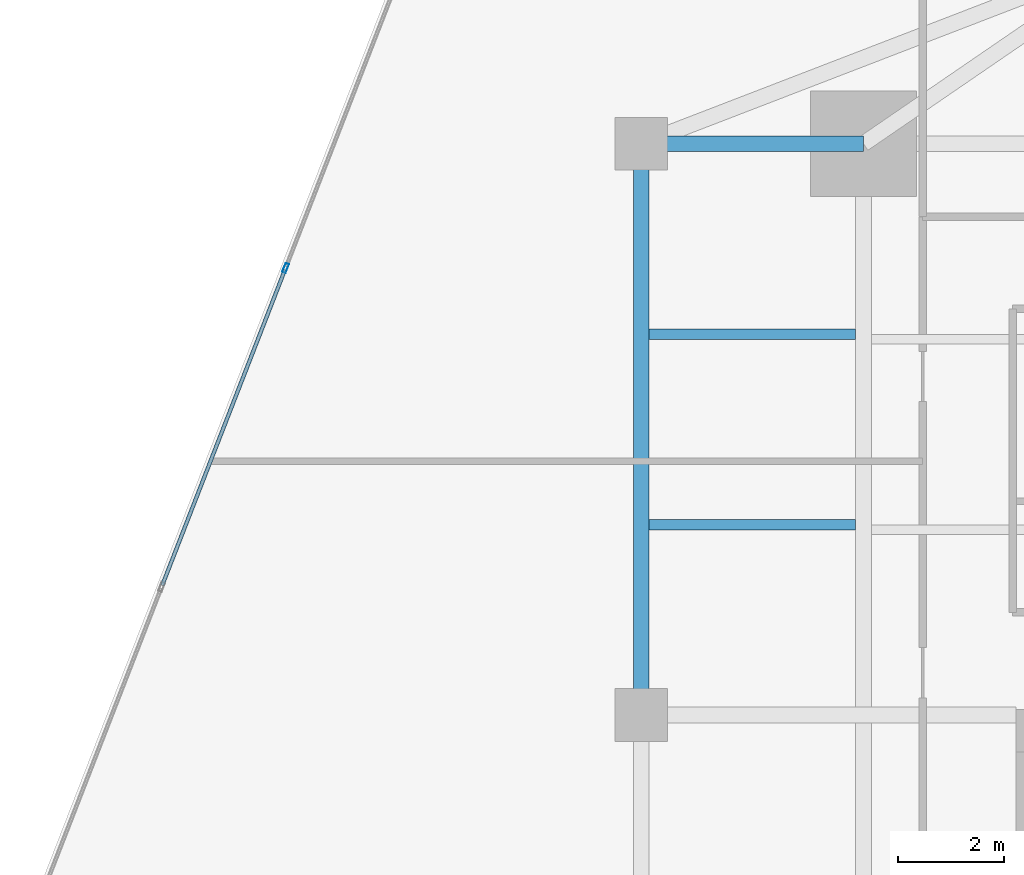
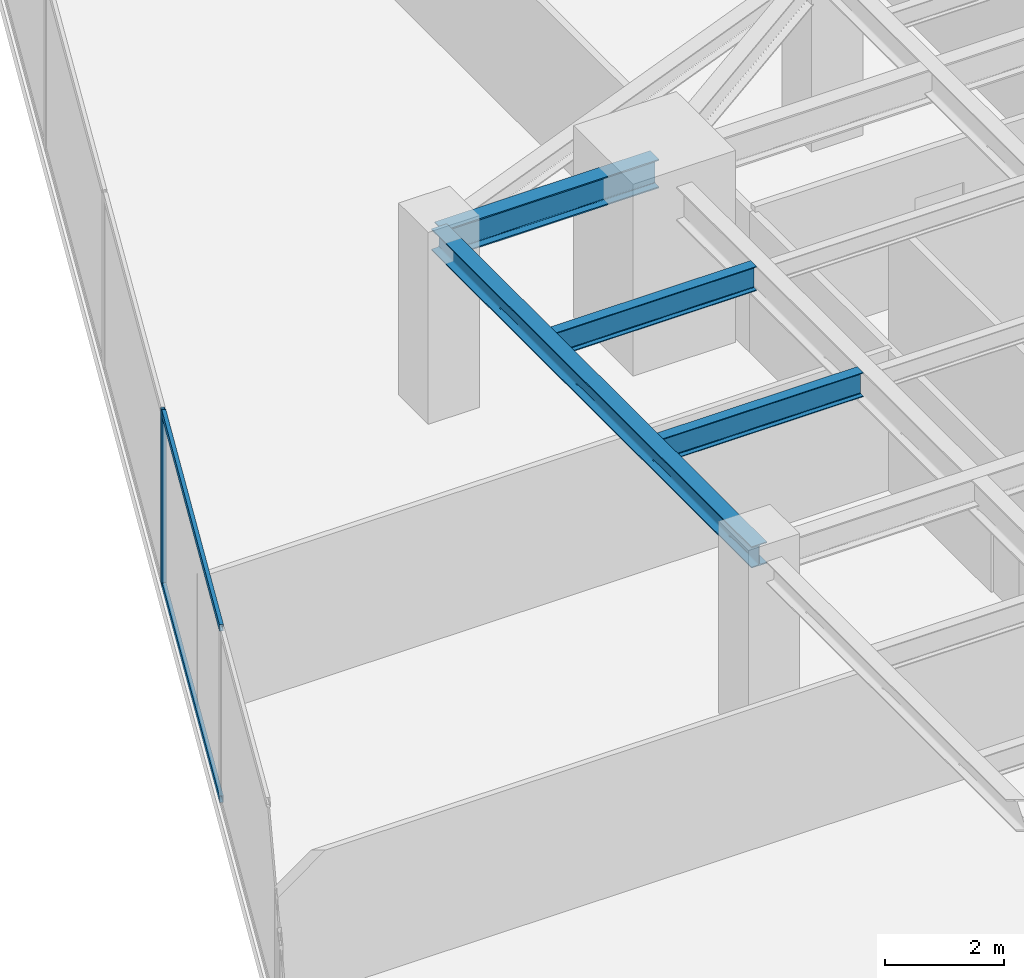
# One storey, part 13 of 26: 4 beams, 3 members, 1 element without a shape of its own.
"""IFC4 building model written with IfcOpenShell, lengths in metres."""

from ifc_helpers import new_model, si_unit, direction, frame, origin, origin_2d, place, context, subcontext, project, spatial, hollow_rectangle, i_section, extrude, source, transform, mapped, material, material_profile, profile_set, type_object, type_shapes, element, aggregate, save


model = new_model("IFC4")

# Units and contexts
model_context = context("Model", 3, precision=1e-05, world=origin(), true_north=direction((0.0, 1.0)))
body_context = subcontext(model_context, "Body", "Model", "MODEL_VIEW")
ifc_project = project(units=[si_unit("LENGTHUNIT", "METRE"), si_unit("AREAUNIT", "SQUARE_METRE"), si_unit("VOLUMEUNIT", "CUBIC_METRE"), si_unit("PLANEANGLEUNIT", "RADIAN"), si_unit("MASSUNIT", "GRAM", prefix="KILO")], contexts=[model_context])

# Site, building, storey
site_placement = place(None, origin())
site = spatial("IfcSite", under=ifc_project, at=site_placement, CompositionType="ELEMENT")
building_placement = place(site_placement, origin())
building = spatial("IfcBuilding", under=site, at=building_placement, Name="Krantzveldt Concourse Tower", CompositionType="ELEMENT")
storey_placement = place(building_placement, frame((0.0, 0.0, 137.449951171875)))
storey = spatial("IfcBuildingStorey", under=building, at=storey_placement, Name="L33", CompositionType="ELEMENT", Elevation=137.449951171875)

# Beams
ifc_material_1 = material(Name="Steel S355JR", Category="steel")
ifc_material_profile_1 = material_profile(ifc_material_1, i_section(OverallWidth=0.300048828125, OverallDepth=0.43994140625, WebThickness=0.011474609375, FlangeThickness=0.02099609375, FilletRadius=0.027099609375, at=origin_2d()), Name="Steel S355JR", Category="steel")
ifc_profile_set_1 = profile_set([ifc_material_profile_1], Name="Steel S355JR - HEA 450")
beam_type_1 = type_object("IfcBeamType", Name="BM-SP-HEA450", PredefinedType="SPANDREL", material=ifc_profile_set_1)
shared_shape_1 = source(origin(), body_context, "Body", "SweptSolid", [
    extrude(i_section(OverallWidth=0.300048828125, OverallDepth=0.43994140625, WebThickness=0.011474609375, FlangeThickness=0.02099609375, FilletRadius=0.027099609375, at=origin_2d()), origin(), (0.0, 0.0, 1.0), 10.800048828125),
])
type_shapes(beam_type_1, [shared_shape_1])
beam_1_placement = place(storey_placement, frame((21.0, 26.699951171875, 3.380126953125), z_axis=(0.0, 1.0, 0.0), x_axis=(-1.0, 0.0, 0.0)))
element("IfcBeam", 1, at=beam_1_placement, inside=storey, type_object=beam_type_1, Name="L33 Tower Girder SP-R02", PredefinedType="SPANDREL", context=body_context, shape_type="MappedRepresentation", body=[
    mapped(shared_shape_1, transform((0.0, 0.0, 0.0), x_axis=(1.0, 0.0, 0.0), y_axis=(0.0, 1.0, 0.0), z_axis=(0.0, 0.0, 1.0), scale=1.0)),
])
ifc_material_profile_2 = material_profile(ifc_material_1, i_section(OverallWidth=0.300048828125, OverallDepth=0.590087890625, WebThickness=0.012939453125, FlangeThickness=0.02490234375, FilletRadius=0.027099609375, at=origin_2d()), Name="Steel S355JR", Category="steel")
ifc_profile_set_2 = profile_set([ifc_material_profile_2], Name="Steel S355JR - HEA 600")
beam_type_2 = type_object("IfcBeamType", Name="BM-B-HEA600", PredefinedType="BEAM", material=ifc_profile_set_2)
shared_shape_2 = source(origin(), body_context, "Body", "SweptSolid", [
    extrude(i_section(OverallWidth=0.300048828125, OverallDepth=0.590087890625, WebThickness=0.012939453125, FlangeThickness=0.02490234375, FilletRadius=0.027099609375, at=origin_2d()), origin(), (0.0, 0.0, 1.0), 4.199951171875),
])
type_shapes(beam_type_2, [shared_shape_2])
beam_2_placement = place(storey_placement, frame((21.0, 37.5, 3.304931640625), z_axis=(1.0, 0.0, 0.0), x_axis=(0.0, 1.0, 0.0)))
element("IfcBeam", 2, at=beam_2_placement, inside=storey, type_object=beam_type_2, Name="L33 Tower Girder BR-RL3", PredefinedType="BEAM", context=body_context, shape_type="MappedRepresentation", body=[
    mapped(shared_shape_2, transform((0.0, 0.0, 0.0), x_axis=(1.0, 0.0, 0.0), y_axis=(0.0, 1.0, 0.0), z_axis=(0.0, 0.0, 1.0), scale=1.0)),
])
ifc_material_profile_3 = material_profile(ifc_material_1, i_section(OverallWidth=0.199951171875, OverallDepth=0.5, WebThickness=0.01025390625, FlangeThickness=0.01611328125, FilletRadius=0.02099609375, at=origin_2d()), Name="Steel S355JR", Category="steel")
ifc_profile_set_3 = profile_set([ifc_material_profile_3], Name="Steel S355JR - IPE 500")
beam_type_3 = type_object("IfcBeamType", Name="BM-J-IPE500", PredefinedType="JOIST", material=ifc_profile_set_3)
shared_shape_3 = source(origin(), body_context, "Body", "SweptSolid", [
    extrude(i_section(OverallWidth=0.199951171875, OverallDepth=0.5, WebThickness=0.01025390625, FlangeThickness=0.01611328125, FilletRadius=0.02099609375, at=origin_2d()), origin(), (0.0, 0.0, 1.0), 3.900146484375),
])
type_shapes(beam_type_3, [shared_shape_3])
for number, where, z_axis, x_axis, name in (
    (3, (21.14990234375, 30.300048828125, 3.35009765625), (1.0, 0.0, 0.0), (0.0, 1.0, 0.0), "L33 Secondary Floor Joist JW-3"),
    (4, (21.14990234375, 33.89990234375, 3.35009765625), (1.0, 0.0, 0.0), (0.0, 1.0, 0.0), "L33 Secondary Floor Joist JW-4"),
):
    element("IfcBeam", number, at=place(storey_placement, frame(where, z_axis=z_axis, x_axis=x_axis)), inside=storey, type_object=beam_type_3, Name=name, PredefinedType="JOIST", context=body_context, shape_type="MappedRepresentation", body=[
        mapped(shared_shape_3, transform((0.0, 0.0, 0.0), x_axis=(1.0, 0.0, 0.0), y_axis=(0.0, 1.0, 0.0), z_axis=(0.0, 0.0, 1.0), scale=1.0)),
    ])

# Curtain wall, members
ifc_material_2 = material(Name="Anodised aluminium 6063-T6", Category="aluminium")
curtain_wall_type = type_object("IfcCurtainWallType", Name="CW2", PredefinedType="USERDEFINED", material=ifc_material_2)
curtain_wall_placement = place(storey_placement, origin())
curtain_wall = element("IfcCurtainWall", 5, at=curtain_wall_placement, inside=storey, type_object=curtain_wall_type, Name="CW-L33-F01", ObjectType="UNITISED CURTAIN WALL", PredefinedType="USERDEFINED")
ifc_material_profile_4 = material_profile(ifc_material_2, hollow_rectangle(XDim=0.070068359375, YDim=0.139892578125, WallThickness=0.0048828125, at=origin_2d()), Name="Anodised aluminium 6063-T6", Category="aluminium")
ifc_profile_set_4 = profile_set([ifc_material_profile_4], Name="Anodised aluminium 6063-T6 - ALU-TRAN 140x70x5")
member_type_1 = type_object("IfcMemberType", Name="CW-TRN-150", PredefinedType="USERDEFINED", material=ifc_profile_set_4)
shared_shape_4 = source(origin(), body_context, "Body", "SweptSolid", [
    extrude(hollow_rectangle(XDim=0.070068359375, YDim=0.139892578125, WallThickness=0.0048828125, at=origin_2d()), origin(), (0.0, 0.0, 1.0), 6.396484375),
])
type_shapes(member_type_1, [shared_shape_4])
member_1_placement = place(storey_placement, frame((14.26220703125, 35.11572265625, 0.03515625), z_axis=(-0.36243705186, -0.932008252882, 0.0), x_axis=(0.932008252882, -0.36243705186, 0.0)))
member_1 = element("IfcMember", 6, at=member_1_placement, type_object=member_type_1, Name="CW-Z12 transom 4.1", ObjectType="TRANSOM", PredefinedType="USERDEFINED", context=body_context, shape_type="MappedRepresentation", body=[
    mapped(shared_shape_4, transform((0.0, 0.0, 0.0), x_axis=(1.0, 0.0, 0.0), y_axis=(0.0, 1.0, 0.0), z_axis=(0.0, 0.0, 1.0), scale=1.0)),
])
member_2_placement = place(storey_placement, frame((14.26220703125, 35.11572265625, 3.56494140625), z_axis=(-0.36243705186, -0.932008252882, 0.0), x_axis=(0.932008252882, -0.36243705186, 0.0)))
member_2 = element("IfcMember", 7, at=member_2_placement, type_object=member_type_1, Name="CW-Z12 transom 4.2", ObjectType="TRANSOM", PredefinedType="USERDEFINED", context=body_context, shape_type="MappedRepresentation", body=[
    mapped(shared_shape_4, transform((0.0, 0.0, 0.0), x_axis=(1.0, 0.0, 0.0), y_axis=(0.0, 1.0, 0.0), z_axis=(0.0, 0.0, 1.0), scale=1.0)),
])
ifc_material_profile_5 = material_profile(ifc_material_2, hollow_rectangle(XDim=0.070068359375, YDim=0.179931640625, WallThickness=0.0048828125, at=origin_2d()), Name="Anodised aluminium 6063-T6", Category="aluminium")
ifc_profile_set_5 = profile_set([ifc_material_profile_5], Name="Anodised aluminium 6063-T6 - ALU-MULL 180x70x5")
member_type_2 = type_object("IfcMemberType", Name="CW-MUL-180", PredefinedType="MULLION", material=ifc_profile_set_5)
shared_shape_5 = source(origin(), body_context, "Body", "SweptSolid", [
    extrude(hollow_rectangle(XDim=0.070068359375, YDim=0.179931640625, WallThickness=0.0048828125, at=origin_2d()), origin(), (0.0, 0.0, 1.0), 3.60009765625),
])
type_shapes(member_type_2, [shared_shape_5])
member_3_placement = place(storey_placement, frame((14.27490234375, 35.1484375, 0.0), z_axis=(0.0, 0.0, 1.0), x_axis=(0.93200790248, -0.362437952917, 0.0)))
member_3 = element("IfcMember", 8, at=member_3_placement, type_object=member_type_2, Name="CW-Z12 mullion 4", PredefinedType="MULLION", context=body_context, shape_type="MappedRepresentation", body=[
    mapped(shared_shape_5, transform((0.0, 0.0, 0.0), x_axis=(1.0, 0.0, 0.0), y_axis=(0.0, 1.0, 0.0), z_axis=(0.0, 0.0, 1.0), scale=1.0)),
])
aggregate(curtain_wall, [member_3, member_1, member_2])

save(model, "model.ifc")
